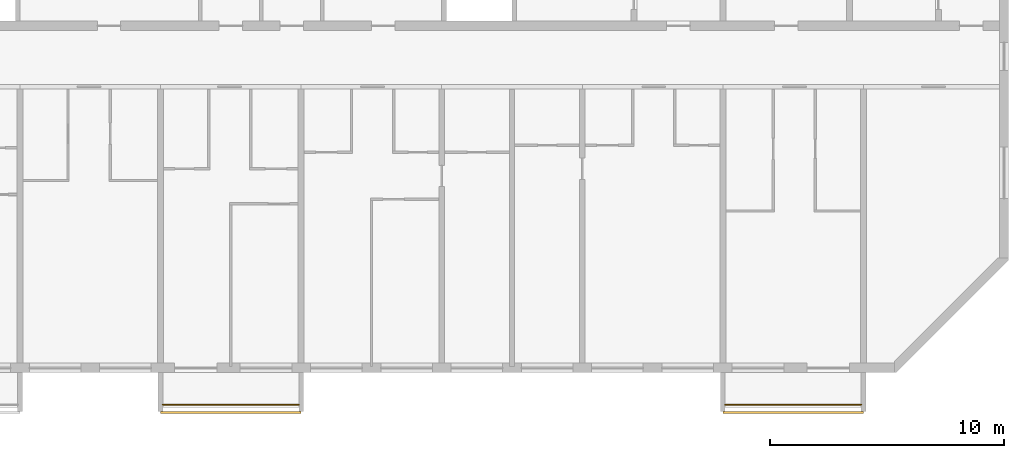
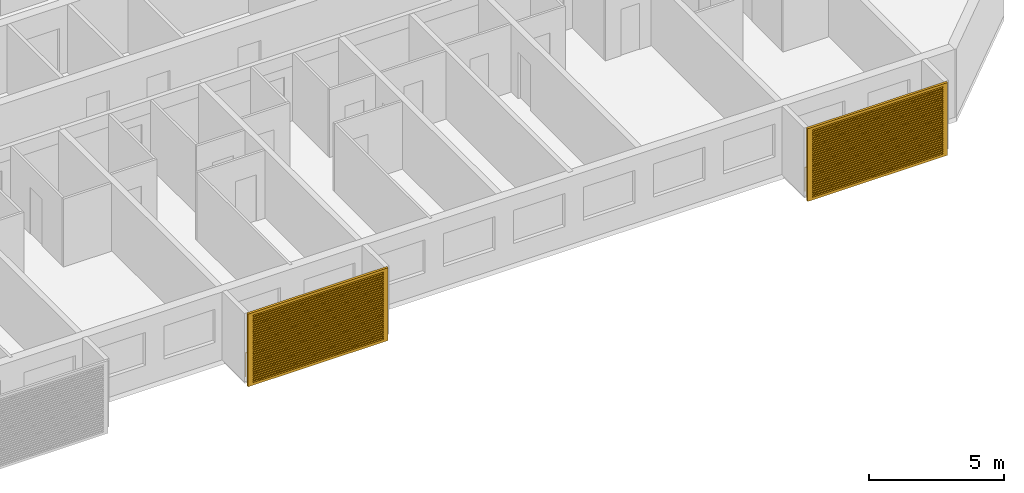
# One storey, part 14 of 27: 2 railings, 2 shading devices.
"""IFC4 building model written with IfcOpenShell, lengths in metres."""

from ifc_helpers import new_model, si_unit, direction, frame, origin, origin_2d, place, context, subcontext, project, spatial, polyline, circle, outline, extrude, source, transform, mapped, material, material_profile, profile_set, type_object, element, save


model = new_model("IFC4")

# Units and contexts
model_context = context("Model", 3, precision=1e-05, world=origin(), true_north=direction((0.0, 1.0)))
body_context = subcontext(model_context, "Body", "Model", "MODEL_VIEW")
ifc_project = project(units=[si_unit("LENGTHUNIT", "METRE"), si_unit("AREAUNIT", "SQUARE_METRE"), si_unit("VOLUMEUNIT", "CUBIC_METRE"), si_unit("PLANEANGLEUNIT", "RADIAN"), si_unit("MASSUNIT", "GRAM", prefix="KILO")], contexts=[model_context])

# Site, building, storey
site_placement = place(None, origin())
site = spatial("IfcSite", under=ifc_project, at=site_placement, CompositionType="ELEMENT")
building_placement = place(site_placement, origin())
building = spatial("IfcBuilding", under=site, at=building_placement, Name="Poui Terraces", CompositionType="ELEMENT")
storey_placement = place(building_placement, frame((0.0, 0.0, 204.89990234375)))
storey = spatial("IfcBuildingStorey", under=building, at=storey_placement, Name="L57", CompositionType="ELEMENT", Elevation=204.89990234375)

# Railings
ifc_material_1 = material(Name="Painted steel fretwork", Category="steel")
railing_type = type_object("IfcRailingType", Name="BALCONY GUARD 1100", PredefinedType="GUARDRAIL", material=ifc_material_1)
for number, where, name in (
    (1, (48.10009765625, -1.570068359375, 0.0), "BALCONY GUARD"),
    (2, (72.10009765625, -1.570068359375, 0.0), "BALCONY GUARD"),
):
    element("IfcRailing", number, at=place(storey_placement, frame(where)), inside=storey, type_object=railing_type, Name=name, PredefinedType="GUARDRAIL", context=body_context, shape_type="SweptSolid", body=[
        extrude(circle(Radius=0.02392578125, at=origin_2d()), frame((0.0, 0.0, 1.076171875), z_axis=(1.0, 0.0, 0.0), x_axis=(0.0, 1.0, 0.0)), (0.0, 0.0, 1.0), 5.7998046875),
        extrude(circle(Radius=0.02099609375, at=origin_2d()), origin(), (0.0, 0.0, 1.0), 1.052001953125),
        extrude(circle(Radius=0.02099609375, at=origin_2d()), frame((0.966552734375, 0.0, 0.0)), (0.0, 0.0, 1.0), 1.052001953125),
        extrude(circle(Radius=0.02099609375, at=origin_2d()), frame((1.933349609375, 0.0, 0.0)), (0.0, 0.0, 1.0), 1.052001953125),
        extrude(circle(Radius=0.02099609375, at=origin_2d()), frame((2.89990234375, 0.0, 0.0)), (0.0, 0.0, 1.0), 1.052001953125),
        extrude(circle(Radius=0.02099609375, at=origin_2d()), frame((3.866455078125, 0.0, 0.0)), (0.0, 0.0, 1.0), 1.052001953125),
        extrude(circle(Radius=0.02099609375, at=origin_2d()), frame((4.833251953125, 0.0, 0.0)), (0.0, 0.0, 1.0), 1.052001953125),
        extrude(circle(Radius=0.02099609375, at=origin_2d()), frame((5.7998046875, 0.0, 0.0)), (0.0, 0.0, 1.0), 1.052001953125),
    ])

# Shading devices
ifc_material_2 = material(Name="Aluminium louvre", Category="aluminium")
ifc_material_profile = material_profile(ifc_material_2, outline(polyline([(-3.0, -1.64990234375), (3.0, -1.64990234375), (3.0, 1.64990234375), (-3.0, 1.64990234375), (-3.0, -1.64990234375)]), holes=[polyline([(-2.800048828125, -1.530029296875), (2.800048828125, -1.530029296875), (2.800048828125, -1.469970703125), (-2.800048828125, -1.469970703125), (-2.800048828125, -1.530029296875)]), polyline([(-2.800048828125, -1.429931640625), (2.800048828125, -1.429931640625), (2.800048828125, -1.3701171875), (-2.800048828125, -1.3701171875), (-2.800048828125, -1.429931640625)]), polyline([(-2.800048828125, -1.330078125), (2.800048828125, -1.330078125), (2.800048828125, -1.27001953125), (-2.800048828125, -1.27001953125), (-2.800048828125, -1.330078125)]), polyline([(-2.800048828125, -1.22998046875), (2.800048828125, -1.22998046875), (2.800048828125, -1.169921875), (-2.800048828125, -1.169921875), (-2.800048828125, -1.22998046875)]), polyline([(-2.800048828125, -1.1298828125), (2.800048828125, -1.1298828125), (2.800048828125, -1.070068359375), (-2.800048828125, -1.070068359375), (-2.800048828125, -1.1298828125)]), polyline([(-2.800048828125, -1.030029296875), (2.800048828125, -1.030029296875), (2.800048828125, -0.969970703125), (-2.800048828125, -0.969970703125), (-2.800048828125, -1.030029296875)]), polyline([(-2.800048828125, -0.929931640625), (2.800048828125, -0.929931640625), (2.800048828125, -0.8701171875), (-2.800048828125, -0.8701171875), (-2.800048828125, -0.929931640625)]), polyline([(-2.800048828125, -0.830078125), (2.800048828125, -0.830078125), (2.800048828125, -0.77001953125), (-2.800048828125, -0.77001953125), (-2.800048828125, -0.830078125)]), polyline([(-2.800048828125, -0.72998046875), (2.800048828125, -0.72998046875), (2.800048828125, -0.669921875), (-2.800048828125, -0.669921875), (-2.800048828125, -0.72998046875)]), polyline([(-2.800048828125, -0.6298828125), (2.800048828125, -0.6298828125), (2.800048828125, -0.570068359375), (-2.800048828125, -0.570068359375), (-2.800048828125, -0.6298828125)]), polyline([(-2.800048828125, -0.530029296875), (2.800048828125, -0.530029296875), (2.800048828125, -0.469970703125), (-2.800048828125, -0.469970703125), (-2.800048828125, -0.530029296875)]), polyline([(-2.800048828125, -0.429931640625), (2.800048828125, -0.429931640625), (2.800048828125, -0.3701171875), (-2.800048828125, -0.3701171875), (-2.800048828125, -0.429931640625)]), polyline([(-2.800048828125, -0.330078125), (2.800048828125, -0.330078125), (2.800048828125, -0.27001953125), (-2.800048828125, -0.27001953125), (-2.800048828125, -0.330078125)]), polyline([(-2.800048828125, -0.22998046875), (2.800048828125, -0.22998046875), (2.800048828125, -0.169921875), (-2.800048828125, -0.169921875), (-2.800048828125, -0.22998046875)]), polyline([(-2.800048828125, -0.1298828125), (2.800048828125, -0.1298828125), (2.800048828125, -0.070068359375), (-2.800048828125, -0.070068359375), (-2.800048828125, -0.1298828125)]), polyline([(-2.800048828125, -0.030029296875), (2.800048828125, -0.030029296875), (2.800048828125, 0.030029296875), (-2.800048828125, 0.030029296875), (-2.800048828125, -0.030029296875)]), polyline([(-2.800048828125, 0.070068359375), (2.800048828125, 0.070068359375), (2.800048828125, 0.1298828125), (-2.800048828125, 0.1298828125), (-2.800048828125, 0.070068359375)]), polyline([(-2.800048828125, 0.169921875), (2.800048828125, 0.169921875), (2.800048828125, 0.22998046875), (-2.800048828125, 0.22998046875), (-2.800048828125, 0.169921875)]), polyline([(-2.800048828125, 0.27001953125), (2.800048828125, 0.27001953125), (2.800048828125, 0.330078125), (-2.800048828125, 0.330078125), (-2.800048828125, 0.27001953125)]), polyline([(-2.800048828125, 0.3701171875), (2.800048828125, 0.3701171875), (2.800048828125, 0.429931640625), (-2.800048828125, 0.429931640625), (-2.800048828125, 0.3701171875)]), polyline([(-2.800048828125, 0.469970703125), (2.800048828125, 0.469970703125), (2.800048828125, 0.530029296875), (-2.800048828125, 0.530029296875), (-2.800048828125, 0.469970703125)]), polyline([(-2.800048828125, 0.570068359375), (2.800048828125, 0.570068359375), (2.800048828125, 0.6298828125), (-2.800048828125, 0.6298828125), (-2.800048828125, 0.570068359375)]), polyline([(-2.800048828125, 0.669921875), (2.800048828125, 0.669921875), (2.800048828125, 0.72998046875), (-2.800048828125, 0.72998046875), (-2.800048828125, 0.669921875)]), polyline([(-2.800048828125, 0.77001953125), (2.800048828125, 0.77001953125), (2.800048828125, 0.830078125), (-2.800048828125, 0.830078125), (-2.800048828125, 0.77001953125)]), polyline([(-2.800048828125, 0.8701171875), (2.800048828125, 0.8701171875), (2.800048828125, 0.929931640625), (-2.800048828125, 0.929931640625), (-2.800048828125, 0.8701171875)]), polyline([(-2.800048828125, 0.969970703125), (2.800048828125, 0.969970703125), (2.800048828125, 1.030029296875), (-2.800048828125, 1.030029296875), (-2.800048828125, 0.969970703125)]), polyline([(-2.800048828125, 1.070068359375), (2.800048828125, 1.070068359375), (2.800048828125, 1.1298828125), (-2.800048828125, 1.1298828125), (-2.800048828125, 1.070068359375)]), polyline([(-2.800048828125, 1.169921875), (2.800048828125, 1.169921875), (2.800048828125, 1.22998046875), (-2.800048828125, 1.22998046875), (-2.800048828125, 1.169921875)]), polyline([(-2.800048828125, 1.27001953125), (2.800048828125, 1.27001953125), (2.800048828125, 1.330078125), (-2.800048828125, 1.330078125), (-2.800048828125, 1.27001953125)]), polyline([(-2.800048828125, 1.3701171875), (2.800048828125, 1.3701171875), (2.800048828125, 1.429931640625), (-2.800048828125, 1.429931640625), (-2.800048828125, 1.3701171875)]), polyline([(-2.800048828125, 1.469970703125), (2.800048828125, 1.469970703125), (2.800048828125, 1.530029296875), (-2.800048828125, 1.530029296875), (-2.800048828125, 1.469970703125)])]), Name="JALOUSIE LOUVRE SHUTTER 6000X3300")
ifc_profile_set = profile_set([ifc_material_profile], Name="Aluminium louvre")
shading_device_type = type_object("IfcShadingDeviceType", Name="JALOUSIE LOUVRE SHUTTER 6000X3300", PredefinedType="JALOUSIE", material=ifc_profile_set)
shared_shape = source(origin(), body_context, "Body", "SweptSolid", [
    extrude(outline(polyline([(-3.0, -1.64990234375), (3.0, -1.64990234375), (3.0, 1.64990234375), (-3.0, 1.64990234375), (-3.0, -1.64990234375)]), holes=[polyline([(-2.800048828125, -1.530029296875), (2.800048828125, -1.530029296875), (2.800048828125, -1.469970703125), (-2.800048828125, -1.469970703125), (-2.800048828125, -1.530029296875)]), polyline([(-2.800048828125, -1.429931640625), (2.800048828125, -1.429931640625), (2.800048828125, -1.3701171875), (-2.800048828125, -1.3701171875), (-2.800048828125, -1.429931640625)]), polyline([(-2.800048828125, -1.330078125), (2.800048828125, -1.330078125), (2.800048828125, -1.27001953125), (-2.800048828125, -1.27001953125), (-2.800048828125, -1.330078125)]), polyline([(-2.800048828125, -1.22998046875), (2.800048828125, -1.22998046875), (2.800048828125, -1.169921875), (-2.800048828125, -1.169921875), (-2.800048828125, -1.22998046875)]), polyline([(-2.800048828125, -1.1298828125), (2.800048828125, -1.1298828125), (2.800048828125, -1.070068359375), (-2.800048828125, -1.070068359375), (-2.800048828125, -1.1298828125)]), polyline([(-2.800048828125, -1.030029296875), (2.800048828125, -1.030029296875), (2.800048828125, -0.969970703125), (-2.800048828125, -0.969970703125), (-2.800048828125, -1.030029296875)]), polyline([(-2.800048828125, -0.929931640625), (2.800048828125, -0.929931640625), (2.800048828125, -0.8701171875), (-2.800048828125, -0.8701171875), (-2.800048828125, -0.929931640625)]), polyline([(-2.800048828125, -0.830078125), (2.800048828125, -0.830078125), (2.800048828125, -0.77001953125), (-2.800048828125, -0.77001953125), (-2.800048828125, -0.830078125)]), polyline([(-2.800048828125, -0.72998046875), (2.800048828125, -0.72998046875), (2.800048828125, -0.669921875), (-2.800048828125, -0.669921875), (-2.800048828125, -0.72998046875)]), polyline([(-2.800048828125, -0.6298828125), (2.800048828125, -0.6298828125), (2.800048828125, -0.570068359375), (-2.800048828125, -0.570068359375), (-2.800048828125, -0.6298828125)]), polyline([(-2.800048828125, -0.530029296875), (2.800048828125, -0.530029296875), (2.800048828125, -0.469970703125), (-2.800048828125, -0.469970703125), (-2.800048828125, -0.530029296875)]), polyline([(-2.800048828125, -0.429931640625), (2.800048828125, -0.429931640625), (2.800048828125, -0.3701171875), (-2.800048828125, -0.3701171875), (-2.800048828125, -0.429931640625)]), polyline([(-2.800048828125, -0.330078125), (2.800048828125, -0.330078125), (2.800048828125, -0.27001953125), (-2.800048828125, -0.27001953125), (-2.800048828125, -0.330078125)]), polyline([(-2.800048828125, -0.22998046875), (2.800048828125, -0.22998046875), (2.800048828125, -0.169921875), (-2.800048828125, -0.169921875), (-2.800048828125, -0.22998046875)]), polyline([(-2.800048828125, -0.1298828125), (2.800048828125, -0.1298828125), (2.800048828125, -0.070068359375), (-2.800048828125, -0.070068359375), (-2.800048828125, -0.1298828125)]), polyline([(-2.800048828125, -0.030029296875), (2.800048828125, -0.030029296875), (2.800048828125, 0.030029296875), (-2.800048828125, 0.030029296875), (-2.800048828125, -0.030029296875)]), polyline([(-2.800048828125, 0.070068359375), (2.800048828125, 0.070068359375), (2.800048828125, 0.1298828125), (-2.800048828125, 0.1298828125), (-2.800048828125, 0.070068359375)]), polyline([(-2.800048828125, 0.169921875), (2.800048828125, 0.169921875), (2.800048828125, 0.22998046875), (-2.800048828125, 0.22998046875), (-2.800048828125, 0.169921875)]), polyline([(-2.800048828125, 0.27001953125), (2.800048828125, 0.27001953125), (2.800048828125, 0.330078125), (-2.800048828125, 0.330078125), (-2.800048828125, 0.27001953125)]), polyline([(-2.800048828125, 0.3701171875), (2.800048828125, 0.3701171875), (2.800048828125, 0.429931640625), (-2.800048828125, 0.429931640625), (-2.800048828125, 0.3701171875)]), polyline([(-2.800048828125, 0.469970703125), (2.800048828125, 0.469970703125), (2.800048828125, 0.530029296875), (-2.800048828125, 0.530029296875), (-2.800048828125, 0.469970703125)]), polyline([(-2.800048828125, 0.570068359375), (2.800048828125, 0.570068359375), (2.800048828125, 0.6298828125), (-2.800048828125, 0.6298828125), (-2.800048828125, 0.570068359375)]), polyline([(-2.800048828125, 0.669921875), (2.800048828125, 0.669921875), (2.800048828125, 0.72998046875), (-2.800048828125, 0.72998046875), (-2.800048828125, 0.669921875)]), polyline([(-2.800048828125, 0.77001953125), (2.800048828125, 0.77001953125), (2.800048828125, 0.830078125), (-2.800048828125, 0.830078125), (-2.800048828125, 0.77001953125)]), polyline([(-2.800048828125, 0.8701171875), (2.800048828125, 0.8701171875), (2.800048828125, 0.929931640625), (-2.800048828125, 0.929931640625), (-2.800048828125, 0.8701171875)]), polyline([(-2.800048828125, 0.969970703125), (2.800048828125, 0.969970703125), (2.800048828125, 1.030029296875), (-2.800048828125, 1.030029296875), (-2.800048828125, 0.969970703125)]), polyline([(-2.800048828125, 1.070068359375), (2.800048828125, 1.070068359375), (2.800048828125, 1.1298828125), (-2.800048828125, 1.1298828125), (-2.800048828125, 1.070068359375)]), polyline([(-2.800048828125, 1.169921875), (2.800048828125, 1.169921875), (2.800048828125, 1.22998046875), (-2.800048828125, 1.22998046875), (-2.800048828125, 1.169921875)]), polyline([(-2.800048828125, 1.27001953125), (2.800048828125, 1.27001953125), (2.800048828125, 1.330078125), (-2.800048828125, 1.330078125), (-2.800048828125, 1.27001953125)]), polyline([(-2.800048828125, 1.3701171875), (2.800048828125, 1.3701171875), (2.800048828125, 1.429931640625), (-2.800048828125, 1.429931640625), (-2.800048828125, 1.3701171875)]), polyline([(-2.800048828125, 1.469970703125), (2.800048828125, 1.469970703125), (2.800048828125, 1.530029296875), (-2.800048828125, 1.530029296875), (-2.800048828125, 1.469970703125)])]), origin(), (0.0, 0.0, 1.0), 0.099853515625),
])
for number, where, z_axis, x_axis, name in (
    (3, (51.0, -1.85009765625, 1.4501953125), (0.0, -1.0, 0.0), (1.0, 0.0, 0.0), "JALOUSIE LOUVRE SHUTTER"),
    (4, (75.0, -1.85009765625, 1.4501953125), (0.0, -1.0, 0.0), (1.0, 0.0, 0.0), "JALOUSIE LOUVRE SHUTTER"),
):
    element("IfcShadingDevice", number, at=place(storey_placement, frame(where, z_axis=z_axis, x_axis=x_axis)), inside=storey, type_object=shading_device_type, Name=name, PredefinedType="JALOUSIE", context=body_context, shape_type="MappedRepresentation", body=[
        mapped(shared_shape, transform((0.0, 0.0, 0.0))),
    ])

save(model, "model.ifc")
